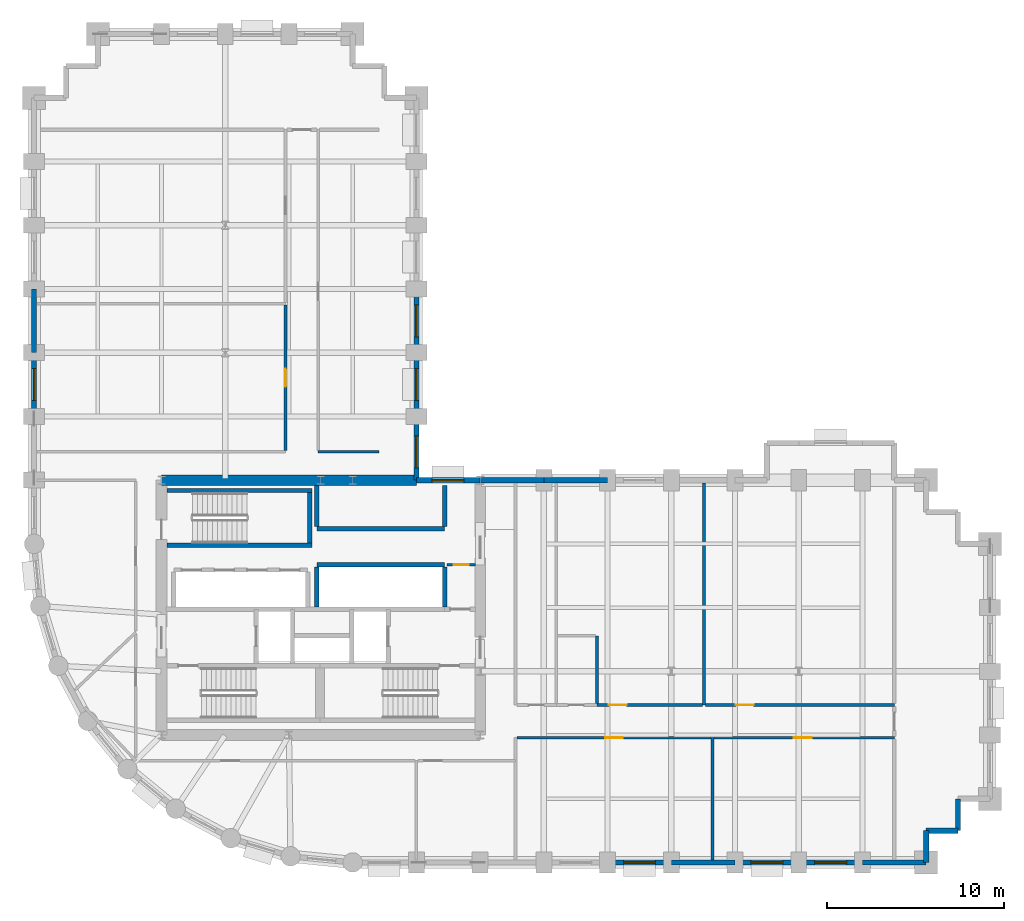
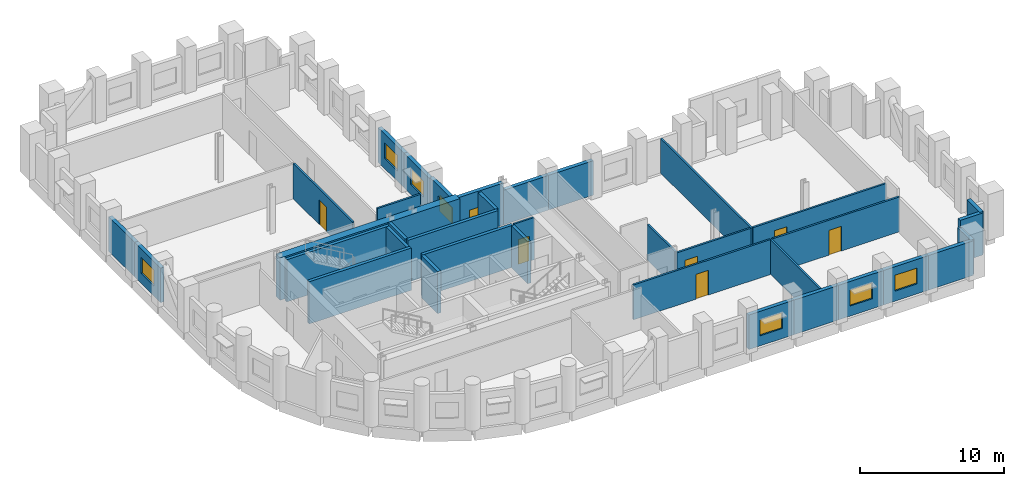
# One storey, part 5 of 9: 36 walls, 8 windows, 6 doors, 14 openings.
"""IFC4 building model written with IfcOpenShell, lengths in metres."""

import ifcopenshell
import ifcopenshell.guid

model = None  # the IFC model being written
_history = None  # IfcOwnerHistory: only IFC2X3 demands one
_inside = {}  # id of a spatial element -> (the spatial element, [elements in it])
_under = {}  # id of a project, library or spatial element -> (it, [spatial elements below it])
_declared = {}  # id of a project -> (the project, [libraries it declares])
_typed = {}  # id of a type object -> (the type object, [elements of that type])
_made_of = {}  # id of a material, layer set ... -> (it, [elements and type objects made of it])


def new_model(schema):
    """Start an empty IFC model of exactly this schema.

    Asked for "IFC4X3", IfcOpenShell would pick the latest addendum, in which some entities
    have other attributes; the version numbers below select the first issue.
    IFC2X3 requires an IfcOwnerHistory on every rooted entity: one is made here for all.
    """
    global model, _history
    if schema == "IFC4X3":
        model = ifcopenshell.file(schema_version=(4, 3, 0, 0))
    else:
        model = ifcopenshell.file(schema=schema)
    _inside.clear()
    _under.clear()
    _declared.clear()
    _typed.clear()
    _made_of.clear()
    _history = None
    if model.schema == "IFC2X3":
        org = make("IfcOrganization", Name="unknown")
        user = make(
            "IfcPersonAndOrganization",
            ThePerson=make("IfcPerson", FamilyName="unknown"),
            TheOrganization=org,
        )
        app = make(
            "IfcApplication",
            ApplicationDeveloper=org,
            Version="unknown",
            ApplicationFullName="unknown",
            ApplicationIdentifier="unknown",
        )
        _history = make(
            "IfcOwnerHistory",
            OwningUser=user,
            OwningApplication=app,
            ChangeAction="ADDED",
            CreationDate=0,
        )
    return model


def make(cls, **values):
    """One entity of the class cls with the attributes given. An attribute that is None is left unset."""
    return model.create_entity(
        cls, **{name: value for name, value in values.items() if value is not None}
    )


def rooted(cls, **values):
    """An entity with a GlobalId (a new one), such as an element, a storey or a relation."""
    return make(cls, GlobalId=ifcopenshell.guid.new(), OwnerHistory=_history, **values)


def si_unit(unit_type, name, prefix=None):
    """IfcSIUnit, for example si_unit("LENGTHUNIT", "METRE", prefix="MILLI")."""
    return make("IfcSIUnit", UnitType=unit_type, Prefix=prefix, Name=name)


def assignment(units):
    """IfcUnitAssignment: the units of a project."""
    return None if units is None else make("IfcUnitAssignment", Units=units)


def point(xyz):
    """IfcCartesianPoint."""
    return None if xyz is None else make("IfcCartesianPoint", Coordinates=xyz)


def direction(xyz):
    """IfcDirection."""
    return None if xyz is None else make("IfcDirection", DirectionRatios=xyz)


def frame(location, z_axis=None, x_axis=None):
    """IfcAxis2Placement3D, a coordinate frame: its origin and axes. An axis left out is left unset."""
    return make(
        "IfcAxis2Placement3D",
        Location=point(location),
        Axis=direction(z_axis),
        RefDirection=direction(x_axis),
    )


def frame_2d(location, x_axis=None):
    """IfcAxis2Placement2D, a coordinate frame in the plane: its origin and x axis."""
    return make(
        "IfcAxis2Placement2D", Location=point(location), RefDirection=direction(x_axis)
    )


def origin():
    """The frame at (0, 0, 0) with its axes left unset."""
    return frame((0.0, 0.0, 0.0))


def place(relative_to, where):
    """IfcLocalPlacement: puts the frame where relative to a parent placement (None: the world)."""
    return make(
        "IfcLocalPlacement", PlacementRelTo=relative_to, RelativePlacement=where
    )


def context(
    kind, dimensions, precision=None, world=None, true_north=None, identifier=None
):
    """IfcGeometricRepresentationContext, for example the 3D "Model" context."""
    return make(
        "IfcGeometricRepresentationContext",
        ContextIdentifier=identifier,
        ContextType=kind,
        CoordinateSpaceDimension=dimensions,
        Precision=precision,
        WorldCoordinateSystem=world,
        TrueNorth=true_north,
    )


def subcontext(parent, identifier, kind, view, scale=None):
    """IfcGeometricRepresentationSubContext, for example "Body" below "Model"."""
    return make(
        "IfcGeometricRepresentationSubContext",
        ContextIdentifier=identifier,
        ContextType=kind,
        ParentContext=parent,
        TargetScale=scale,
        TargetView=view,
    )


def project(units=None, contexts=None):
    """IfcProject with its units and contexts."""
    return rooted(
        "IfcProject",
        Name="project",
        RepresentationContexts=contexts,
        UnitsInContext=assignment(units),
    )


def spatial(cls, under=None, at=None, **own):
    """A site, building, storey or space (cls), placed at a placement, below another one or the project."""
    s = rooted(cls, ObjectPlacement=at, **own)
    if under is not None:
        _under.setdefault(under.id(), (under, []))[1].append(s)
    return s


def profile(cls, at=None, kind="AREA", **sizes):
    """A parametric profile (cls). Its sizes go by their IFC names, for example OverallWidth=200.0."""
    return make(cls, ProfileType=kind, Position=at, **sizes)


def rectangle(**sizes):
    """IfcRectangleProfileDef."""
    return profile("IfcRectangleProfileDef", **sizes)


def extrude(swept, where, along, depth):
    """IfcExtrudedAreaSolid: the profile swept, set in the frame where, extruded along a direction by depth."""
    return make(
        "IfcExtrudedAreaSolid",
        SweptArea=swept,
        Position=where,
        ExtrudedDirection=direction(along),
        Depth=depth,
    )


def shape(context_of_items, identifier, shape_type, items):
    """IfcShapeRepresentation: the items that make up one representation, for example the "Body"."""
    return make(
        "IfcShapeRepresentation",
        ContextOfItems=context_of_items,
        RepresentationIdentifier=identifier,
        RepresentationType=shape_type,
        Items=items,
    )


def material(Name=None, Category=None):
    """IfcMaterial."""
    return make("IfcMaterial", Name=Name, Category=Category)


def layer(
    of_material, thickness, ventilated=None, Name=None, Category=None, Priority=None
):
    """IfcMaterialLayer: one layer of a wall or slab, of a material (None: an air gap)."""
    return make(
        "IfcMaterialLayer",
        Material=of_material,
        LayerThickness=thickness,
        IsVentilated=ventilated,
        Name=Name,
        Category=Category,
        Priority=Priority,
    )


def layer_set(layers, Name=None):
    """IfcMaterialLayerSet."""
    return make("IfcMaterialLayerSet", MaterialLayers=layers, LayerSetName=Name)


def made_of(thing, what):
    """Note that an element or type object is made of a material, layer set ...; save() writes the relation."""
    if what is not None:
        _made_of.setdefault(what.id(), (what, []))[1].append(thing)
    return thing


def type_object(cls, material=None, **own):
    """A type object (cls), such as IfcWallType, which elements share."""
    return made_of(rooted(cls, **own), material)


def element(
    cls,
    number,
    at=None,
    inside=None,
    cuts=None,
    type_object=None,
    material=None,
    context=None,
    identifier="Body",
    shape_type=None,
    held_by="IfcProductDefinitionShape",
    body=None,
    shapes=None,
    **own,
):
    """One element of the class cls, such as IfcWall. Its Tag is "e" and its number.

    at: its placement. inside: the storey or other place that contains it. cuts: it is an
    opening in that element (IfcRelVoidsElement). A single representation is given by context,
    identifier, shape_type and body (its items); several are given by shapes. held_by: the class
    of the entity that holds the representations. save() writes the other relations.
    """
    e = rooted(cls, Tag="e%d" % number, ObjectPlacement=at, **own)
    if body is not None:
        shapes = [shape(context, identifier, shape_type, body)]
    if shapes is not None:
        e.Representation = make(held_by, Representations=shapes)
    if inside is not None:
        _inside.setdefault(inside.id(), (inside, []))[1].append(e)
    if cuts is not None:
        rooted(
            "IfcRelVoidsElement", RelatingBuildingElement=cuts, RelatedOpeningElement=e
        )
    if type_object is not None:
        _typed.setdefault(type_object.id(), (type_object, []))[1].append(e)
    return made_of(e, material)


def fill(opening, filler):
    """IfcRelFillsElement: the door or window that sits in an opening."""
    return rooted(
        "IfcRelFillsElement",
        RelatingOpeningElement=opening,
        RelatedBuildingElement=filler,
    )


def aggregate(whole, parts):
    """IfcRelAggregates: a whole, such as a stair, and the parts it consists of."""
    return rooted("IfcRelAggregates", RelatingObject=whole, RelatedObjects=parts)


def save(model, path):
    """Write the relations noted so far, then the file.

    IfcRelAggregates (storeys below a building ...), IfcRelContainedInSpatialStructure (elements
    in a storey), IfcRelDefinesByType, IfcRelAssociatesMaterial and IfcRelDeclares: one each for
    every whole, place, type object, material and project.
    """
    for whole, parts in _under.values():
        aggregate(whole, parts)
    for where, things in _inside.values():
        rooted(
            "IfcRelContainedInSpatialStructure",
            RelatedElements=things,
            RelatingStructure=where,
        )
    for kind, things in _typed.values():
        rooted("IfcRelDefinesByType", RelatedObjects=things, RelatingType=kind)
    for what, things in _made_of.values():
        rooted("IfcRelAssociatesMaterial", RelatedObjects=things, RelatingMaterial=what)
    for by, libraries in _declared.values():
        rooted("IfcRelDeclares", RelatingContext=by, RelatedDefinitions=libraries)
    model.write(path)


model = new_model("IFC4")

# Units and contexts
model_context = context("Model", 3, precision=1e-05, world=origin(), true_north=direction((0.0, 1.0)))
body_context = subcontext(model_context, "Body", "Model", "MODEL_VIEW")
ifc_project = project(units=[si_unit("LENGTHUNIT", "METRE"), si_unit("AREAUNIT", "SQUARE_METRE"), si_unit("VOLUMEUNIT", "CUBIC_METRE"), si_unit("PLANEANGLEUNIT", "RADIAN"), si_unit("MASSUNIT", "GRAM", prefix="KILO")], contexts=[model_context])

# Site, building, storey
site_placement = place(None, origin())
site = spatial("IfcSite", under=ifc_project, at=site_placement, CompositionType="ELEMENT")
building_placement = place(site_placement, origin())
building = spatial("IfcBuilding", under=site, at=building_placement, Name="Solnavia Interchange Tower", CompositionType="ELEMENT")
storey_placement = place(building_placement, frame((0.0, 0.0, 70.800048828125)))
storey = spatial("IfcBuildingStorey", under=building, at=storey_placement, Name="L17", CompositionType="ELEMENT", Elevation=70.800048828125)

# Wall, opening, window
ifc_material_1 = material(Name="Concrete C40/50", Category="concrete")
ifc_layer_1 = layer(ifc_material_1, 0.300048828125)
ifc_layer_set_1 = layer_set([ifc_layer_1], Name="Concrete C40/50")
wall_type_1 = type_object("IfcWallType", Name="Wall-ExtSpandrel-300", PredefinedType="STANDARD", material=ifc_layer_set_1)
wall_1_placement = place(storey_placement, frame((43.199951171875, 3.60009765625, 0.0), z_axis=(0.0, 0.0, 1.0), x_axis=(-1.0, 0.0, 0.0)))
wall_1 = element("IfcWall", 1, at=wall_1_placement, inside=storey, type_object=wall_type_1, Name="EXW-L17-05 Exterior precast spandrel wall", PredefinedType="STANDARD", context=body_context, shape_type="SweptSolid", body=[
    extrude(rectangle(XDim=3.599853515625, YDim=0.300048828125, at=frame_2d((1.7998046875, 0.0))), origin(), (0.0, 0.0, 1.0), 2.929931640625),
])
opening_1_placement = place(wall_1_placement, frame((0.89990234375, 0.0, 0.85009765625)))
opening_1 = element("IfcOpeningElement", 2, at=opening_1_placement, cuts=wall_1, Name="Opening WIN-02", PredefinedType="OPENING", context=body_context, shape_type="SweptSolid", body=[
    extrude(rectangle(XDim=1.800048828125, YDim=1.35009765625, at=frame_2d((0.89990234375, 0.675048828125))), frame((0.0, 0.16015625, 0.0), z_axis=(0.0, -1.0, 0.0), x_axis=(1.0, 0.0, 0.0)), (0.0, 0.0, 1.0), 0.320068359375),
])
ifc_material_2 = material(Name="Thermal-Break Aluminium & Low-E Glass", Category="aluminium")
window_type = type_object("IfcWindowType", Name="Window-Ribbon-1800x1350", PartitioningType="SINGLE_PANEL", PredefinedType="WINDOW", material=ifc_material_2)
window_1_placement = place(opening_1_placement, origin())
window_1 = element("IfcWindow", 3, at=window_1_placement, inside=storey, type_object=window_type, Name="WIN-L17-05 Facade ribbon window", OverallHeight=1.35009765625, OverallWidth=1.800048828125, PartitioningType="SINGLE_PANEL", PredefinedType="WINDOW", context=body_context, shape_type="SweptSolid", body=[
    extrude(rectangle(XDim=1.800048828125, YDim=1.35009765625, at=frame_2d((0.89990234375, 0.675048828125))), frame((0.0, 0.030029296875, 0.0), z_axis=(0.0, -1.0, 0.0), x_axis=(1.0, 0.0, 0.0)), (0.0, 0.0, 1.0), 0.06005859375),
])
fill(opening_1, window_1)

# Wall
wall_2_placement = place(storey_placement, frame((46.800048828125, 3.60009765625, 0.0), z_axis=(0.0, 0.0, 1.0), x_axis=(-1.0, 0.0, 0.0)))
element("IfcWall", 4, at=wall_2_placement, inside=storey, type_object=wall_type_1, Name="EXW-L17-06 Exterior precast spandrel wall", PredefinedType="STANDARD", context=body_context, shape_type="SweptSolid", body=[
    extrude(rectangle(XDim=3.60009765625, YDim=0.300048828125, at=frame_2d((1.800048828125, 0.0))), origin(), (0.0, 0.0, 1.0), 2.929931640625),
])

# Wall, opening, window
wall_3_placement = place(storey_placement, frame((50.39990234375, 3.60009765625, 0.0), z_axis=(0.0, 0.0, 1.0), x_axis=(-1.0, 0.0, 0.0)))
wall_3 = element("IfcWall", 5, at=wall_3_placement, inside=storey, type_object=wall_type_1, Name="EXW-L17-07 Exterior precast spandrel wall", PredefinedType="STANDARD", context=body_context, shape_type="SweptSolid", body=[
    extrude(rectangle(XDim=3.599853515625, YDim=0.300048828125, at=frame_2d((1.7998046875, 0.0))), origin(), (0.0, 0.0, 1.0), 2.929931640625),
])
opening_2_placement = place(wall_3_placement, frame((0.89990234375, 0.0, 0.85009765625)))
opening_2 = element("IfcOpeningElement", 6, at=opening_2_placement, cuts=wall_3, Name="Opening WIN-02", PredefinedType="OPENING", context=body_context, shape_type="SweptSolid", body=[
    extrude(rectangle(XDim=1.800048828125, YDim=1.35009765625, at=frame_2d((0.89990234375, 0.675048828125))), frame((0.0, 0.16015625, 0.0), z_axis=(0.0, -1.0, 0.0), x_axis=(1.0, 0.0, 0.0)), (0.0, 0.0, 1.0), 0.320068359375),
])
window_2_placement = place(opening_2_placement, origin())
window_2 = element("IfcWindow", 7, at=window_2_placement, inside=storey, type_object=window_type, Name="WIN-L17-07 Facade ribbon window", OverallHeight=1.35009765625, OverallWidth=1.800048828125, PartitioningType="SINGLE_PANEL", PredefinedType="WINDOW", context=body_context, shape_type="SweptSolid", body=[
    extrude(rectangle(XDim=1.800048828125, YDim=1.35009765625, at=frame_2d((0.89990234375, 0.675048828125))), frame((0.0, 0.030029296875, 0.0), z_axis=(0.0, -1.0, 0.0), x_axis=(1.0, 0.0, 0.0)), (0.0, 0.0, 1.0), 0.06005859375),
])
fill(opening_2, window_2)

wall_4_placement = place(storey_placement, frame((54.0, 3.60009765625, 0.0), z_axis=(0.0, 0.0, 1.0), x_axis=(-1.0, 0.0, 0.0)))
wall_4 = element("IfcWall", 8, at=wall_4_placement, inside=storey, type_object=wall_type_1, Name="EXW-L17-08 Exterior precast spandrel wall", PredefinedType="STANDARD", context=body_context, shape_type="SweptSolid", body=[
    extrude(rectangle(XDim=3.60009765625, YDim=0.300048828125, at=frame_2d((1.800048828125, 0.0))), origin(), (0.0, 0.0, 1.0), 2.929931640625),
])
opening_3_placement = place(wall_4_placement, frame((0.89990234375, 0.0, 0.85009765625)))
opening_3 = element("IfcOpeningElement", 9, at=opening_3_placement, cuts=wall_4, Name="Opening WIN-02", PredefinedType="OPENING", context=body_context, shape_type="SweptSolid", body=[
    extrude(rectangle(XDim=1.800048828125, YDim=1.35009765625, at=frame_2d((0.89990234375, 0.675048828125))), frame((0.0, 0.16015625, 0.0), z_axis=(0.0, -1.0, 0.0), x_axis=(1.0, 0.0, 0.0)), (0.0, 0.0, 1.0), 0.320068359375),
])
window_3_placement = place(opening_3_placement, origin())
window_3 = element("IfcWindow", 10, at=window_3_placement, inside=storey, type_object=window_type, Name="WIN-L17-08 Facade ribbon window", OverallHeight=1.35009765625, OverallWidth=1.800048828125, PartitioningType="SINGLE_PANEL", PredefinedType="WINDOW", context=body_context, shape_type="SweptSolid", body=[
    extrude(rectangle(XDim=1.800048828125, YDim=1.35009765625, at=frame_2d((0.89990234375, 0.675048828125))), frame((0.0, 0.030029296875, 0.0), z_axis=(0.0, -1.0, 0.0), x_axis=(1.0, 0.0, 0.0)), (0.0, 0.0, 1.0), 0.06005859375),
])
fill(opening_3, window_3)

# Walls
wall_5_placement = place(storey_placement, frame((57.60009765625, 3.60009765625, 0.0), z_axis=(0.0, 0.0, 1.0), x_axis=(-1.0, 0.0, 0.0)))
element("IfcWall", 11, at=wall_5_placement, inside=storey, type_object=wall_type_1, Name="EXW-L17-09 Exterior precast spandrel wall", PredefinedType="STANDARD", context=body_context, shape_type="SweptSolid", body=[
    extrude(rectangle(XDim=3.60009765625, YDim=0.300048828125, at=frame_2d((1.800048828125, 0.0))), origin(), (0.0, 0.0, 1.0), 2.929931640625),
])
wall_6_placement = place(storey_placement, frame((57.60009765625, 5.39990234375, 0.0), z_axis=(0.0, 0.0, 1.0), x_axis=(0.0, -1.0, 0.0)))
element("IfcWall", 12, at=wall_6_placement, inside=storey, type_object=wall_type_1, Name="EXW-L17-10 Exterior precast spandrel wall", PredefinedType="STANDARD", context=body_context, shape_type="SweptSolid", body=[
    extrude(rectangle(XDim=1.7998046875, YDim=0.300048828125, at=frame_2d((0.89990234375, 0.0))), origin(), (0.0, 0.0, 1.0), 2.929931640625),
])
wall_7_placement = place(storey_placement, frame((59.39990234375, 5.39990234375, 0.0), z_axis=(0.0, 0.0, 1.0), x_axis=(-1.0, 0.0, 0.0)))
element("IfcWall", 13, at=wall_7_placement, inside=storey, type_object=wall_type_1, Name="EXW-L17-11 Exterior precast spandrel wall", PredefinedType="STANDARD", context=body_context, shape_type="SweptSolid", body=[
    extrude(rectangle(XDim=1.7998046875, YDim=0.300048828125, at=frame_2d((0.89990234375, 0.0))), origin(), (0.0, 0.0, 1.0), 3.56494140625),
])
wall_8_placement = place(storey_placement, frame((59.39990234375, 7.199951171875, 0.0), z_axis=(0.0, 0.0, 1.0), x_axis=(0.0, -1.0, 0.0)))
element("IfcWall", 14, at=wall_8_placement, inside=storey, type_object=wall_type_1, Name="EXW-L17-12 Exterior precast spandrel wall", PredefinedType="STANDARD", context=body_context, shape_type="SweptSolid", body=[
    extrude(rectangle(XDim=1.800048828125, YDim=0.300048828125, at=frame_2d((0.89990234375, 0.0))), origin(), (0.0, 0.0, 1.0), 3.56494140625),
])
for number, where, z_axis, x_axis, name in (
    (15, (36.0, 25.199951171875, 0.0), (0.0, 0.0, 1.0), (1.0, 0.0, 0.0), "EXW-L17-31 Exterior precast spandrel wall"),
    (16, (32.39990234375, 25.199951171875, 0.0), (0.0, 0.0, 1.0), (1.0, 0.0, 0.0), "EXW-L17-32 Exterior precast spandrel wall"),
):
    element("IfcWall", number, at=place(storey_placement, frame(where, z_axis=z_axis, x_axis=x_axis)), inside=storey, type_object=wall_type_1, Name=name, PredefinedType="STANDARD", context=body_context, shape_type="SweptSolid", body=[
        extrude(rectangle(XDim=3.60009765625, YDim=0.300048828125, at=frame_2d((1.800048828125, 0.0))), origin(), (0.0, 0.0, 1.0), 2.929931640625),
    ])

# Wall, opening, window
wall_9_placement = place(storey_placement, frame((28.800048828125, 25.199951171875, 0.0), z_axis=(0.0, 0.0, 1.0), x_axis=(1.0, 0.0, 0.0)))
wall_9 = element("IfcWall", 17, at=wall_9_placement, inside=storey, type_object=wall_type_1, Name="EXW-L17-33 Exterior precast spandrel wall", PredefinedType="STANDARD", context=body_context, shape_type="SweptSolid", body=[
    extrude(rectangle(XDim=3.599853515625, YDim=0.300048828125, at=frame_2d((1.7998046875, 0.0))), origin(), (0.0, 0.0, 1.0), 3.56494140625),
])
opening_4_placement = place(wall_9_placement, frame((0.8779296875, 0.0, 0.85009765625)))
opening_4 = element("IfcOpeningElement", 18, at=opening_4_placement, cuts=wall_9, Name="Opening WIN-02", PredefinedType="OPENING", context=body_context, shape_type="SweptSolid", body=[
    extrude(rectangle(XDim=1.800048828125, YDim=1.35009765625, at=frame_2d((0.89990234375, 0.675048828125))), frame((0.0, 0.16015625, 0.0), z_axis=(0.0, -1.0, 0.0), x_axis=(1.0, 0.0, 0.0)), (0.0, 0.0, 1.0), 0.320068359375),
])
window_4_placement = place(opening_4_placement, origin())
window_4 = element("IfcWindow", 19, at=window_4_placement, inside=storey, type_object=window_type, Name="WIN-L17-33 Facade ribbon window", OverallHeight=1.35009765625, OverallWidth=1.800048828125, PartitioningType="SINGLE_PANEL", PredefinedType="WINDOW", context=body_context, shape_type="SweptSolid", body=[
    extrude(rectangle(XDim=1.800048828125, YDim=1.35009765625, at=frame_2d((0.89990234375, 0.675048828125))), frame((0.0, 0.030029296875, 0.0), z_axis=(0.0, -1.0, 0.0), x_axis=(1.0, 0.0, 0.0)), (0.0, 0.0, 1.0), 0.06005859375),
])
fill(opening_4, window_4)

wall_10_placement = place(storey_placement, frame((28.800048828125, 25.199951171875, 0.0), z_axis=(0.0, 0.0, 1.0), x_axis=(0.0, 1.0, 0.0)))
wall_10 = element("IfcWall", 20, at=wall_10_placement, inside=storey, type_object=wall_type_1, Name="EXW-L17-34 Exterior precast spandrel wall", PredefinedType="STANDARD", context=body_context, shape_type="SweptSolid", body=[
    extrude(rectangle(XDim=3.60009765625, YDim=0.300048828125, at=frame_2d((1.800048828125, 0.0))), origin(), (0.0, 0.0, 1.0), 3.070068359375),
])
opening_5_placement = place(wall_10_placement, frame((0.695068359375, 0.0, 0.85009765625)))
opening_5 = element("IfcOpeningElement", 21, at=opening_5_placement, cuts=wall_10, Name="Opening WIN-02", PredefinedType="OPENING", context=body_context, shape_type="SweptSolid", body=[
    extrude(rectangle(XDim=1.800048828125, YDim=1.35009765625, at=frame_2d((0.89990234375, 0.675048828125))), frame((0.0, 0.16015625, 0.0), z_axis=(0.0, -1.0, 0.0), x_axis=(1.0, 0.0, 0.0)), (0.0, 0.0, 1.0), 0.320068359375),
])
window_5_placement = place(opening_5_placement, origin())
window_5 = element("IfcWindow", 22, at=window_5_placement, inside=storey, type_object=window_type, Name="WIN-L17-34 Facade ribbon window", OverallHeight=1.35009765625, OverallWidth=1.800048828125, PartitioningType="SINGLE_PANEL", PredefinedType="WINDOW", context=body_context, shape_type="SweptSolid", body=[
    extrude(rectangle(XDim=1.800048828125, YDim=1.35009765625, at=frame_2d((0.89990234375, 0.675048828125))), frame((0.0, 0.030029296875, 0.0), z_axis=(0.0, -1.0, 0.0), x_axis=(1.0, 0.0, 0.0)), (0.0, 0.0, 1.0), 0.06005859375),
])
fill(opening_5, window_5)

wall_11_placement = place(storey_placement, frame((28.800048828125, 28.800048828125, 0.0), z_axis=(0.0, 0.0, 1.0), x_axis=(0.0, 1.0, 0.0)))
wall_11 = element("IfcWall", 23, at=wall_11_placement, inside=storey, type_object=wall_type_1, Name="EXW-L17-35 Exterior precast spandrel wall", PredefinedType="STANDARD", context=body_context, shape_type="SweptSolid", body=[
    extrude(rectangle(XDim=3.599853515625, YDim=0.300048828125, at=frame_2d((1.7998046875, 0.0))), origin(), (0.0, 0.0, 1.0), 2.929931640625),
])
opening_6_placement = place(wall_11_placement, frame((0.89990234375, 0.0, 0.85009765625)))
opening_6 = element("IfcOpeningElement", 24, at=opening_6_placement, cuts=wall_11, Name="Opening WIN-02", PredefinedType="OPENING", context=body_context, shape_type="SweptSolid", body=[
    extrude(rectangle(XDim=1.800048828125, YDim=1.35009765625, at=frame_2d((0.89990234375, 0.675048828125))), frame((0.0, 0.16015625, 0.0), z_axis=(0.0, -1.0, 0.0), x_axis=(1.0, 0.0, 0.0)), (0.0, 0.0, 1.0), 0.320068359375),
])
window_6_placement = place(opening_6_placement, origin())
window_6 = element("IfcWindow", 25, at=window_6_placement, inside=storey, type_object=window_type, Name="WIN-L17-35 Facade ribbon window", OverallHeight=1.35009765625, OverallWidth=1.800048828125, PartitioningType="SINGLE_PANEL", PredefinedType="WINDOW", context=body_context, shape_type="SweptSolid", body=[
    extrude(rectangle(XDim=1.800048828125, YDim=1.35009765625, at=frame_2d((0.89990234375, 0.675048828125))), frame((0.0, 0.030029296875, 0.0), z_axis=(0.0, -1.0, 0.0), x_axis=(1.0, 0.0, 0.0)), (0.0, 0.0, 1.0), 0.06005859375),
])
fill(opening_6, window_6)

wall_12_placement = place(storey_placement, frame((28.800048828125, 32.39990234375, 0.0), z_axis=(0.0, 0.0, 1.0), x_axis=(0.0, 1.0, 0.0)))
wall_12 = element("IfcWall", 26, at=wall_12_placement, inside=storey, type_object=wall_type_1, Name="EXW-L17-36 Exterior precast spandrel wall", PredefinedType="STANDARD", context=body_context, shape_type="SweptSolid", body=[
    extrude(rectangle(XDim=3.60009765625, YDim=0.300048828125, at=frame_2d((1.800048828125, 0.0))), origin(), (0.0, 0.0, 1.0), 2.929931640625),
])
opening_7_placement = place(wall_12_placement, frame((0.89990234375, 0.0, 0.85009765625)))
opening_7 = element("IfcOpeningElement", 27, at=opening_7_placement, cuts=wall_12, Name="Opening WIN-02", PredefinedType="OPENING", context=body_context, shape_type="SweptSolid", body=[
    extrude(rectangle(XDim=1.800048828125, YDim=1.35009765625, at=frame_2d((0.89990234375, 0.675048828125))), frame((0.0, 0.16015625, 0.0), z_axis=(0.0, -1.0, 0.0), x_axis=(1.0, 0.0, 0.0)), (0.0, 0.0, 1.0), 0.320068359375),
])
window_7_placement = place(opening_7_placement, origin())
window_7 = element("IfcWindow", 28, at=window_7_placement, inside=storey, type_object=window_type, Name="WIN-L17-36 Facade ribbon window", OverallHeight=1.35009765625, OverallWidth=1.800048828125, PartitioningType="SINGLE_PANEL", PredefinedType="WINDOW", context=body_context, shape_type="SweptSolid", body=[
    extrude(rectangle(XDim=1.800048828125, YDim=1.35009765625, at=frame_2d((0.89990234375, 0.675048828125))), frame((0.0, 0.030029296875, 0.0), z_axis=(0.0, -1.0, 0.0), x_axis=(1.0, 0.0, 0.0)), (0.0, 0.0, 1.0), 0.06005859375),
])
fill(opening_7, window_7)

# Wall
wall_13_placement = place(storey_placement, frame((7.199951171875, 32.39990234375, 0.0), z_axis=(0.0, 0.0, 1.0), x_axis=(0.0, 1.0, 0.0)))
element("IfcWall", 29, at=wall_13_placement, inside=storey, type_object=wall_type_1, Name="EXW-L17-55 Exterior precast spandrel wall", PredefinedType="STANDARD", context=body_context, shape_type="SweptSolid", body=[
    extrude(rectangle(XDim=3.60009765625, YDim=0.300048828125, at=frame_2d((1.800048828125, 0.0))), origin(), (0.0, 0.0, 1.0), 2.929931640625),
])

# Wall, opening, window
wall_14_placement = place(storey_placement, frame((7.199951171875, 28.800048828125, 0.0), z_axis=(0.0, 0.0, 1.0), x_axis=(0.0, 1.0, 0.0)))
wall_14 = element("IfcWall", 30, at=wall_14_placement, inside=storey, type_object=wall_type_1, Name="EXW-L17-56 Exterior precast spandrel wall", PredefinedType="STANDARD", context=body_context, shape_type="SweptSolid", body=[
    extrude(rectangle(XDim=3.599853515625, YDim=0.300048828125, at=frame_2d((1.7998046875, 0.0))), origin(), (0.0, 0.0, 1.0), 2.929931640625),
])
opening_8_placement = place(wall_14_placement, frame((0.89990234375, 0.0, 0.85009765625)))
opening_8 = element("IfcOpeningElement", 31, at=opening_8_placement, cuts=wall_14, Name="Opening WIN-02", PredefinedType="OPENING", context=body_context, shape_type="SweptSolid", body=[
    extrude(rectangle(XDim=1.800048828125, YDim=1.35009765625, at=frame_2d((0.89990234375, 0.675048828125))), frame((0.0, 0.16015625, 0.0), z_axis=(0.0, -1.0, 0.0), x_axis=(1.0, 0.0, 0.0)), (0.0, 0.0, 1.0), 0.320068359375),
])
window_8_placement = place(opening_8_placement, origin())
window_8 = element("IfcWindow", 32, at=window_8_placement, inside=storey, type_object=window_type, Name="WIN-L17-56 Facade ribbon window", OverallHeight=1.35009765625, OverallWidth=1.800048828125, PartitioningType="SINGLE_PANEL", PredefinedType="WINDOW", context=body_context, shape_type="SweptSolid", body=[
    extrude(rectangle(XDim=1.800048828125, YDim=1.35009765625, at=frame_2d((0.89990234375, 0.675048828125))), frame((0.0, 0.030029296875, 0.0), z_axis=(0.0, -1.0, 0.0), x_axis=(1.0, 0.0, 0.0)), (0.0, 0.0, 1.0), 0.06005859375),
])
fill(opening_8, window_8)

# Wall, opening, door
ifc_material_3 = material(Name="Gypsum Plasterboard & Steel Stud", Category="steel")
ifc_layer_2 = layer(ifc_material_3, 0.14990234375)
ifc_layer_set_2 = layer_set([ifc_layer_2], Name="Gypsum Plasterboard & Steel Stud")
wall_type_2 = type_object("IfcWallType", Name="Wall-Partition-150", PredefinedType="PARTITIONING", material=ifc_layer_set_2)
wall_15_placement = place(storey_placement, frame((30.52001953125, 20.419921875, 0.0), z_axis=(0.0, 0.0, 1.0), x_axis=(1.0, 0.0, 0.0)))
wall_15 = element("IfcWall", 33, at=wall_15_placement, inside=storey, type_object=wall_type_2, Name="CSW-L17-SE-N Core shaft wall", PredefinedType="PARTITIONING", context=body_context, shape_type="SweptSolid", body=[
    extrude(rectangle(XDim=1.6298828125, YDim=0.14990234375, at=frame_2d((0.81494140625, 0.0))), origin(), (0.0, 0.0, 1.0), 3.56494140625),
])
opening_9_placement = place(wall_15_placement, frame((0.3798828125, 0.0, 0.0)))
opening_9 = element("IfcOpeningElement", 34, at=opening_9_placement, cuts=wall_15, Name="Opening DR-10", PredefinedType="OPENING", context=body_context, shape_type="SweptSolid", body=[
    extrude(rectangle(XDim=0.85009765625, YDim=2.10009765625, at=frame_2d((0.425048828125, 1.050048828125))), frame((0.0, 0.0849609375, 0.0), z_axis=(0.0, -1.0, 0.0), x_axis=(1.0, 0.0, 0.0)), (0.0, 0.0, 1.0), 0.169921875),
])
ifc_material_4 = material(Name="Moisture-Resistant Timber Door", Category="wood")
door_type_1 = type_object("IfcDoorType", Name="Door-Bathroom-850x2100", OperationType="SINGLE_SWING_RIGHT", PredefinedType="DOOR", material=ifc_material_4)
door_1_placement = place(opening_9_placement, origin())
door_1 = element("IfcDoor", 35, at=door_1_placement, inside=storey, type_object=door_type_1, Name="DR-L17-CSE1 Core fire door", OperationType="SINGLE_SWING_LEFT", OverallHeight=2.10009765625, OverallWidth=0.85009765625, PredefinedType="DOOR", context=body_context, shape_type="SweptSolid", body=[
    extrude(rectangle(XDim=0.85009765625, YDim=2.10009765625, at=frame_2d((0.425048828125, 1.050048828125))), frame((0.0, 0.02490234375, 0.0), z_axis=(0.0, -1.0, 0.0), x_axis=(1.0, 0.0, 0.0)), (0.0, 0.0, 1.0), 0.050048828125),
])
fill(opening_9, door_1)

# Wall
wall_16_placement = place(storey_placement, frame((45.530029296875, 3.75390625, 0.0), z_axis=(0.0, 0.0, 1.0), x_axis=(0.0, 1.0, 0.0)))
element("IfcWall", 36, at=wall_16_placement, inside=storey, type_object=wall_type_2, Name="PTW-L17-16 Interior partition wall", PredefinedType="PARTITIONING", context=body_context, shape_type="SweptSolid", body=[
    extrude(rectangle(XDim=6.89599609375, YDim=0.14990234375, at=frame_2d((3.447998046875, 0.0))), origin(), (0.0, 0.0, 1.0), 2.929931640625),
])

# Wall, opening, door
wall_17_placement = place(storey_placement, frame((34.47900390625, 10.64990234375, 0.0), z_axis=(0.0, 0.0, 1.0), x_axis=(1.0, 0.0, 0.0)))
wall_17 = element("IfcWall", 37, at=wall_17_placement, inside=storey, type_object=wall_type_2, Name="PTW-L17-17 Interior partition wall", PredefinedType="PARTITIONING", context=body_context, shape_type="SweptSolid", body=[
    extrude(rectangle(XDim=10.971923828125, YDim=0.14990234375, at=frame_2d((5.48583984375, 0.0))), origin(), (0.0, 0.0, 1.0), 2.9599609375),
])
opening_10_placement = place(wall_17_placement, frame((4.986083984375, 0.0, 0.0)))
opening_10 = element("IfcOpeningElement", 38, at=opening_10_placement, cuts=wall_17, Name="Opening DR-07", PredefinedType="OPENING", context=body_context, shape_type="SweptSolid", body=[
    extrude(rectangle(XDim=1.0, YDim=2.10009765625, at=frame_2d((0.5, 1.050048828125))), frame((0.0, 0.0849609375, 0.0), z_axis=(0.0, -1.0, 0.0), x_axis=(1.0, 0.0, 0.0)), (0.0, 0.0, 1.0), 0.169921875),
])
ifc_material_5 = material(Name="Timber & Acoustic Glazed Office Door", Category="wood")
door_type_2 = type_object("IfcDoorType", Name="Door-Office-1000x2100", OperationType="SINGLE_SWING_RIGHT", PredefinedType="DOOR", material=ifc_material_5)
door_2_placement = place(opening_10_placement, origin())
door_2 = element("IfcDoor", 39, at=door_2_placement, inside=storey, type_object=door_type_2, Name="DR-L17-07 Interior room door", OperationType="SINGLE_SWING_RIGHT", OverallHeight=2.10009765625, OverallWidth=1.0, PredefinedType="DOOR", context=body_context, shape_type="SweptSolid", body=[
    extrude(rectangle(XDim=1.0, YDim=2.10009765625, at=frame_2d((0.5, 1.050048828125))), frame((0.0, 0.02490234375, 0.0), z_axis=(0.0, -1.0, 0.0), x_axis=(1.0, 0.0, 0.0)), (0.0, 0.0, 1.0), 0.050048828125),
])
fill(opening_10, door_2)

wall_18_placement = place(storey_placement, frame((45.60888671875, 10.64990234375, 0.0), z_axis=(0.0, 0.0, 1.0), x_axis=(1.0, 0.0, 0.0)))
wall_18 = element("IfcWall", 40, at=wall_18_placement, inside=storey, type_object=wall_type_2, Name="PTW-L17-18 Interior partition wall", PredefinedType="PARTITIONING", context=body_context, shape_type="SweptSolid", body=[
    extrude(rectangle(XDim=10.191162109375, YDim=0.14990234375, at=frame_2d((5.095703125, 0.0))), origin(), (0.0, 0.0, 1.0), 2.9599609375),
])
opening_11_placement = place(wall_18_placement, frame((4.51611328125, 0.0, 0.0)))
opening_11 = element("IfcOpeningElement", 41, at=opening_11_placement, cuts=wall_18, Name="Opening DR-07", PredefinedType="OPENING", context=body_context, shape_type="SweptSolid", body=[
    extrude(rectangle(XDim=1.0, YDim=2.10009765625, at=frame_2d((0.5, 1.050048828125))), frame((0.0, 0.0849609375, 0.0), z_axis=(0.0, -1.0, 0.0), x_axis=(1.0, 0.0, 0.0)), (0.0, 0.0, 1.0), 0.169921875),
])
door_3_placement = place(opening_11_placement, origin())
door_3 = element("IfcDoor", 42, at=door_3_placement, inside=storey, type_object=door_type_2, Name="DR-L17-08 Interior room door", OperationType="SINGLE_SWING_RIGHT", OverallHeight=2.10009765625, OverallWidth=1.0, PredefinedType="DOOR", context=body_context, shape_type="SweptSolid", body=[
    extrude(rectangle(XDim=1.0, YDim=2.10009765625, at=frame_2d((0.5, 1.050048828125))), frame((0.0, 0.02490234375, 0.0), z_axis=(0.0, -1.0, 0.0), x_axis=(1.0, 0.0, 0.0)), (0.0, 0.0, 1.0), 0.050048828125),
])
fill(opening_11, door_3)

# Wall
wall_19_placement = place(storey_placement, frame((45.050048828125, 12.5, 0.0), z_axis=(0.0, 0.0, 1.0), x_axis=(0.0, 1.0, 0.0)))
element("IfcWall", 43, at=wall_19_placement, inside=storey, type_object=wall_type_2, Name="PTW-L17-19 Interior partition wall", PredefinedType="PARTITIONING", context=body_context, shape_type="SweptSolid", body=[
    extrude(rectangle(XDim=12.5458984375, YDim=0.14990234375, at=frame_2d((6.27294921875, 0.0))), origin(), (0.0, 0.0, 1.0), 2.929931640625),
])

# Wall, opening, door
wall_20_placement = place(storey_placement, frame((39.0, 12.5, 0.0), z_axis=(0.0, 0.0, 1.0), x_axis=(1.0, 0.0, 0.0)))
wall_20 = element("IfcWall", 44, at=wall_20_placement, inside=storey, type_object=wall_type_2, Name="PTW-L17-20 Interior partition wall", PredefinedType="PARTITIONING", context=body_context, shape_type="SweptSolid", body=[
    extrude(rectangle(XDim=5.970947265625, YDim=0.14990234375, at=frame_2d((2.9853515625, 0.0))), origin(), (0.0, 0.0, 1.0), 2.969970703125),
])
opening_12_placement = place(wall_20_placement, frame((0.675048828125, 0.0, 0.0)))
opening_12 = element("IfcOpeningElement", 45, at=opening_12_placement, cuts=wall_20, Name="Opening DR-07", PredefinedType="OPENING", context=body_context, shape_type="SweptSolid", body=[
    extrude(rectangle(XDim=1.0, YDim=2.10009765625, at=frame_2d((0.5, 1.050048828125))), frame((0.0, 0.0849609375, 0.0), z_axis=(0.0, -1.0, 0.0), x_axis=(1.0, 0.0, 0.0)), (0.0, 0.0, 1.0), 0.169921875),
])
door_4_placement = place(opening_12_placement, origin())
door_4 = element("IfcDoor", 46, at=door_4_placement, inside=storey, type_object=door_type_2, Name="DR-L17-09 Interior room door", OperationType="SINGLE_SWING_RIGHT", OverallHeight=2.10009765625, OverallWidth=1.0, PredefinedType="DOOR", context=body_context, shape_type="SweptSolid", body=[
    extrude(rectangle(XDim=1.0, YDim=2.10009765625, at=frame_2d((0.5, 1.050048828125))), frame((0.0, 0.02490234375, 0.0), z_axis=(0.0, -1.0, 0.0), x_axis=(1.0, 0.0, 0.0)), (0.0, 0.0, 1.0), 0.050048828125),
])
fill(opening_12, door_4)

wall_21_placement = place(storey_placement, frame((45.12890625, 12.5, 0.0), z_axis=(0.0, 0.0, 1.0), x_axis=(1.0, 0.0, 0.0)))
wall_21 = element("IfcWall", 47, at=wall_21_placement, inside=storey, type_object=wall_type_2, Name="PTW-L17-21 Interior partition wall", PredefinedType="PARTITIONING", context=body_context, shape_type="SweptSolid", body=[
    extrude(rectangle(XDim=10.671142578125, YDim=0.14990234375, at=frame_2d((5.33544921875, 0.0))), origin(), (0.0, 0.0, 1.0), 2.969970703125),
])
opening_13_placement = place(wall_21_placement, frame((1.718994140625, 0.0, 0.0)))
opening_13 = element("IfcOpeningElement", 48, at=opening_13_placement, cuts=wall_21, Name="Opening DR-07", PredefinedType="OPENING", context=body_context, shape_type="SweptSolid", body=[
    extrude(rectangle(XDim=1.0, YDim=2.10009765625, at=frame_2d((0.5, 1.050048828125))), frame((0.0, 0.0849609375, 0.0), z_axis=(0.0, -1.0, 0.0), x_axis=(1.0, 0.0, 0.0)), (0.0, 0.0, 1.0), 0.169921875),
])
door_5_placement = place(opening_13_placement, origin())
door_5 = element("IfcDoor", 49, at=door_5_placement, inside=storey, type_object=door_type_2, Name="DR-L17-10 Interior room door", OperationType="SINGLE_SWING_RIGHT", OverallHeight=2.10009765625, OverallWidth=1.0, PredefinedType="DOOR", context=body_context, shape_type="SweptSolid", body=[
    extrude(rectangle(XDim=1.0, YDim=2.10009765625, at=frame_2d((0.5, 1.050048828125))), frame((0.0, 0.02490234375, 0.0), z_axis=(0.0, -1.0, 0.0), x_axis=(1.0, 0.0, 0.0)), (0.0, 0.0, 1.0), 0.050048828125),
])
fill(opening_13, door_5)

wall_22_placement = place(storey_placement, frame((21.39990234375, 26.87890625, 0.0), z_axis=(0.0, 0.0, 1.0), x_axis=(0.0, 1.0, 0.0)))
wall_22 = element("IfcWall", 50, at=wall_22_placement, inside=storey, type_object=wall_type_2, Name="PTW-L17-27 Interior partition wall", PredefinedType="PARTITIONING", context=body_context, shape_type="SweptSolid", body=[
    extrude(rectangle(XDim=8.212158203125, YDim=0.14990234375, at=frame_2d((4.10595703125, 0.0))), origin(), (0.0, 0.0, 1.0), 3.010009765625),
])
opening_14_placement = place(wall_22_placement, frame((3.60595703125, 0.0, 0.0)))
opening_14 = element("IfcOpeningElement", 51, at=opening_14_placement, cuts=wall_22, Name="Opening DR-07", PredefinedType="OPENING", context=body_context, shape_type="SweptSolid", body=[
    extrude(rectangle(XDim=1.0, YDim=2.10009765625, at=frame_2d((0.5, 1.050048828125))), frame((0.0, 0.0849609375, 0.0), z_axis=(0.0, -1.0, 0.0), x_axis=(1.0, 0.0, 0.0)), (0.0, 0.0, 1.0), 0.169921875),
])
door_6_placement = place(opening_14_placement, origin())
door_6 = element("IfcDoor", 52, at=door_6_placement, inside=storey, type_object=door_type_2, Name="DR-L17-12 Interior room door", OperationType="SINGLE_SWING_RIGHT", OverallHeight=2.10009765625, OverallWidth=1.0, PredefinedType="DOOR", context=body_context, shape_type="SweptSolid", body=[
    extrude(rectangle(XDim=1.0, YDim=2.10009765625, at=frame_2d((0.5, 1.050048828125))), frame((0.0, 0.02490234375, 0.0), z_axis=(0.0, -1.0, 0.0), x_axis=(1.0, 0.0, 0.0)), (0.0, 0.0, 1.0), 0.050048828125),
])
fill(opening_14, door_6)

# Walls
wall_23_placement = place(storey_placement, frame((23.25, 26.800048828125, 0.0), z_axis=(0.0, 0.0, 1.0), x_axis=(1.0, 0.0, 0.0)))
element("IfcWall", 53, at=wall_23_placement, inside=storey, type_object=wall_type_2, Name="PTW-L17-29 Interior partition wall", PredefinedType="PARTITIONING", context=body_context, shape_type="SweptSolid", body=[
    extrude(rectangle(XDim=3.449951171875, YDim=0.14990234375, at=frame_2d((1.72509765625, 0.0))), origin(), (0.0, 0.0, 1.0), 3.56494140625),
])
ifc_layer_3 = layer(ifc_material_1, 0.25)
ifc_layer_set_3 = layer_set([ifc_layer_3], Name="Concrete C40/50")
wall_type_3 = type_object("IfcWallType", Name="Wall-ShaftCore-250", PredefinedType="SHEAR", material=ifc_layer_set_3)
for number, where, z_axis, x_axis, name in (
    (54, (14.699951171875, 21.52490234375, 0.0), (0.0, 0.0, 1.0), (1.0, 0.0, 0.0), "SHW-L17-ST3S Core shear wall"),
    (55, (14.699951171875, 24.614990234375, 0.0), (0.0, 0.0, 1.0), (1.0, 0.0, 0.0), "SHW-L17-ST3N Core shear wall"),
):
    element("IfcWall", number, at=place(storey_placement, frame(where, z_axis=z_axis, x_axis=x_axis)), inside=storey, type_object=wall_type_3, Name=name, PredefinedType="SHEAR", context=body_context, shape_type="SweptSolid", body=[
        extrude(rectangle(XDim=8.199951171875, YDim=0.25, at=frame_2d((4.10009765625, 0.0))), origin(), (0.0, 0.0, 1.0), 3.579833984375),
    ])
wall_24_placement = place(storey_placement, frame((22.77490234375, 21.64990234375, 0.0), z_axis=(0.0, 0.0, 1.0), x_axis=(0.0, 1.0, 0.0)))
element("IfcWall", 56, at=wall_24_placement, inside=storey, type_object=wall_type_3, Name="SHW-L17-ST3E Core shear wall", PredefinedType="SHEAR", context=body_context, shape_type="SweptSolid", body=[
    extrude(rectangle(XDim=2.840087890625, YDim=0.25, at=frame_2d((1.419921875, 0.0))), origin(), (0.0, 0.0, 1.0), 3.579833984375),
])
ifc_layer_4 = layer(ifc_material_1, 0.25)
ifc_layer_set_4 = layer_set([ifc_layer_4], Name="Concrete C40/50")
wall_type_4 = type_object("IfcWallType", Name="Wall-ShaftPart-250", PredefinedType="PARTITIONING", material=ifc_layer_set_4)
wall_25_placement = place(storey_placement, frame((23.179931640625, 20.419921875, 0.0), z_axis=(0.0, 0.0, 1.0), x_axis=(1.0, 0.0, 0.0)))
element("IfcWall", 57, at=wall_25_placement, inside=storey, type_object=wall_type_4, Name="SHW-L17-B2N Core shaft wall", PredefinedType="PARTITIONING", context=body_context, shape_type="SweptSolid", body=[
    extrude(rectangle(XDim=7.219970703125, YDim=0.25, at=frame_2d((3.60986328125, 0.0))), origin(), (0.0, 0.0, 1.0), 3.56494140625),
])
for number, where, z_axis, x_axis, name in (
    (58, (23.179931640625, 18.02490234375, 0.0), (0.0, 0.0, 1.0), (0.0, 1.0, 0.0), "SHW-L17-B2W Core shaft wall"),
    (59, (30.39990234375, 18.02490234375, 0.0), (0.0, 0.0, 1.0), (0.0, 1.0, 0.0), "SHW-L17-B2E Core shaft wall"),
):
    element("IfcWall", number, at=place(storey_placement, frame(where, z_axis=z_axis, x_axis=x_axis)), inside=storey, type_object=wall_type_4, Name=name, PredefinedType="PARTITIONING", context=body_context, shape_type="SweptSolid", body=[
        extrude(rectangle(XDim=2.27001953125, YDim=0.25, at=frame_2d((1.135009765625, 0.0))), origin(), (0.0, 0.0, 1.0), 3.56494140625),
    ])
wall_26_placement = place(storey_placement, frame((23.179931640625, 22.4599609375, 0.0), z_axis=(0.0, 0.0, 1.0), x_axis=(1.0, 0.0, 0.0)))
element("IfcWall", 60, at=wall_26_placement, inside=storey, type_object=wall_type_4, Name="SHW-L17-B3S Core shaft wall", PredefinedType="PARTITIONING", context=body_context, shape_type="SweptSolid", body=[
    extrude(rectangle(XDim=7.219970703125, YDim=0.25, at=frame_2d((3.60986328125, 0.0))), origin(), (0.0, 0.0, 1.0), 3.56494140625),
])
for number, where, z_axis, x_axis, name in (
    (61, (23.179931640625, 22.5849609375, 0.0), (0.0, 0.0, 1.0), (0.0, 1.0, 0.0), "SHW-L17-B3W Core shaft wall"),
    (62, (30.39990234375, 22.5849609375, 0.0), (0.0, 0.0, 1.0), (0.0, 1.0, 0.0), "SHW-L17-B3E Core shaft wall"),
):
    element("IfcWall", number, at=place(storey_placement, frame(where, z_axis=z_axis, x_axis=x_axis)), inside=storey, type_object=wall_type_4, Name=name, PredefinedType="PARTITIONING", context=body_context, shape_type="SweptSolid", body=[
        extrude(rectangle(XDim=2.31494140625, YDim=0.25, at=frame_2d((1.157470703125, 0.0))), origin(), (0.0, 0.0, 1.0), 3.56494140625),
    ])
ifc_material_6 = material(Name="Concrete C60/75", Category="concrete")
ifc_layer_5 = layer(ifc_material_6, 0.60009765625)
ifc_layer_set_5 = layer_set([ifc_layer_5], Name="Concrete C60/75")
wall_type_5 = type_object("IfcWallType", Name="Wall-ShearCore-600", PredefinedType="SHEAR", material=ifc_layer_set_5)
wall_27_placement = place(storey_placement, frame((14.39990234375, 25.199951171875, 0.0), z_axis=(0.0, 0.0, 1.0), x_axis=(1.0, 0.0, 0.0)))
element("IfcWall", 63, at=wall_27_placement, inside=storey, type_object=wall_type_5, Name="CRW-L17-N Core shear wall", PredefinedType="SHEAR", context=body_context, shape_type="SweptSolid", body=[
    extrude(rectangle(XDim=14.400146484375, YDim=0.60009765625, at=frame_2d((7.2001953125, 0.0))), origin(), (0.0, 0.0, 1.0), 3.579833984375),
])
ifc_material_7 = material(Name="Moisture-Resistant Gypsum & Steel Stud", Category="steel")
ifc_layer_6 = layer(ifc_material_7, 0.14990234375)
ifc_layer_set_6 = layer_set([ifc_layer_6], Name="Moisture-Resistant Gypsum & Steel Stud")
wall_type_6 = type_object("IfcWallType", Name="Wall-WetRoom-150", PredefinedType="PARTITIONING", material=ifc_layer_set_6)
wall_28_placement = place(storey_placement, frame((39.0, 12.5791015625, 0.0), z_axis=(0.0, 0.0, 1.0), x_axis=(0.0, 1.0, 0.0)))
element("IfcWall", 64, at=wall_28_placement, inside=storey, type_object=wall_type_6, Name="PTW-L17-05 Interior partition wall", PredefinedType="PARTITIONING", context=body_context, shape_type="SweptSolid", body=[
    extrude(rectangle(XDim=3.82080078125, YDim=0.14990234375, at=frame_2d((1.910400390625, 0.0))), origin(), (0.0, 0.0, 1.0), 3.010009765625),
])

save(model, "model.ifc")
